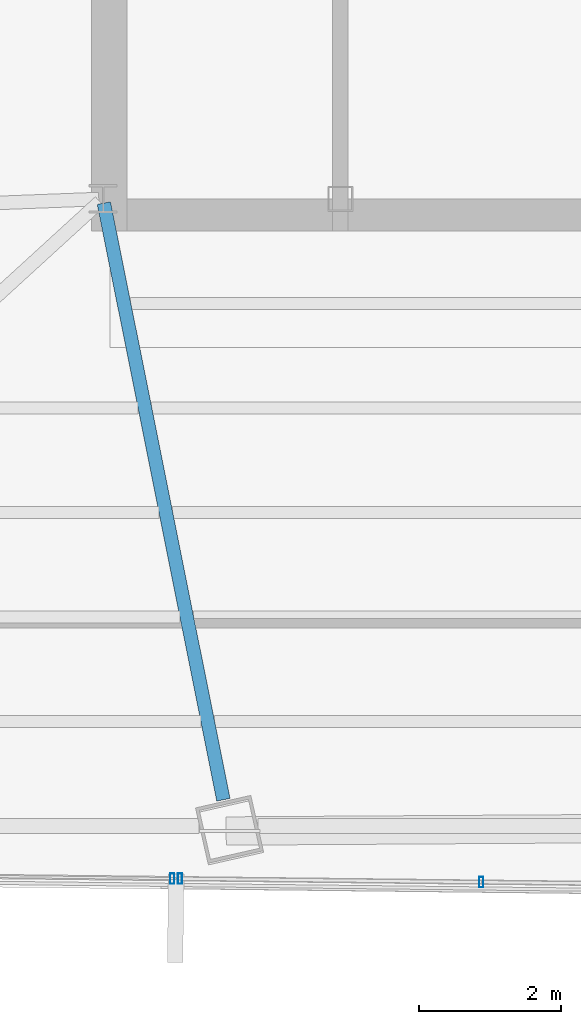
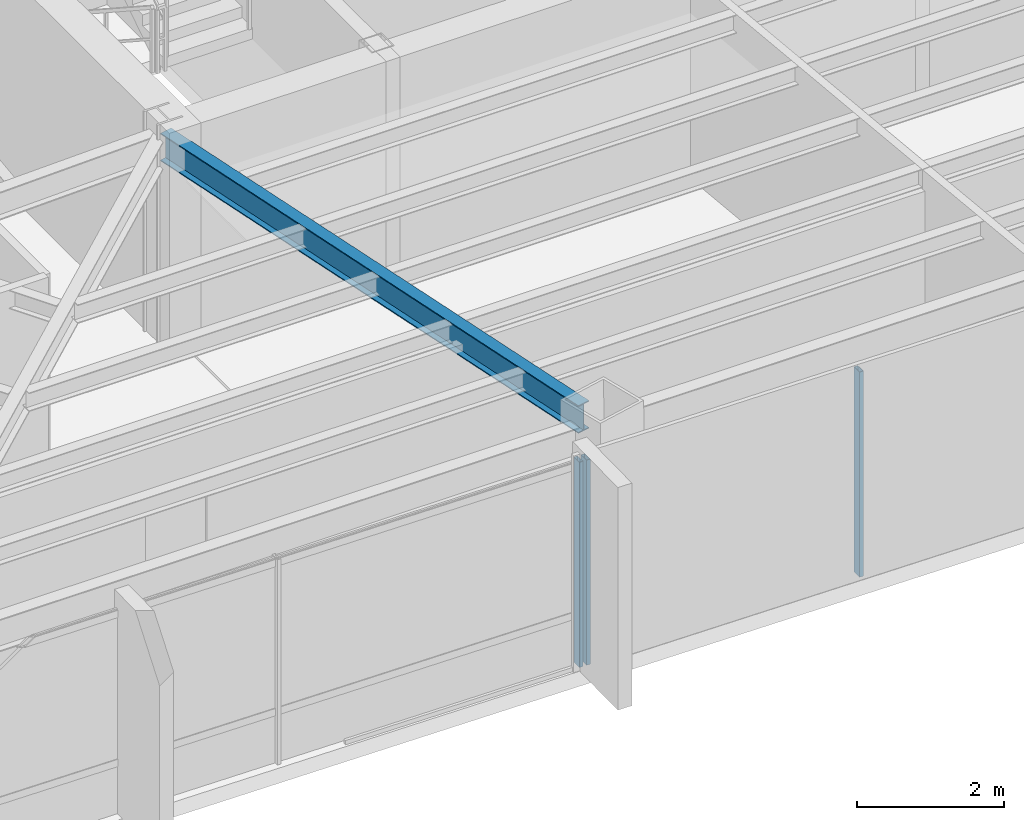
# One storey, part 9 of 40: 3 members, 1 beam, 2 elements without a shape of their own.
"""IFC4 building model written with IfcOpenShell, lengths in metres."""

from ifc_helpers import new_model, si_unit, direction, frame, origin, origin_2d, place, context, subcontext, project, spatial, hollow_rectangle, i_section, extrude, source, transform, mapped, material, material_profile, profile_set, type_object, type_shapes, element, aggregate, save


model = new_model("IFC4")

# Units and contexts
model_context = context("Model", 3, precision=1e-05, world=origin(), true_north=direction((0.0, 1.0)))
body_context = subcontext(model_context, "Body", "Model", "MODEL_VIEW")
ifc_project = project(units=[si_unit("LENGTHUNIT", "METRE"), si_unit("AREAUNIT", "SQUARE_METRE"), si_unit("VOLUMEUNIT", "CUBIC_METRE"), si_unit("PLANEANGLEUNIT", "RADIAN"), si_unit("MASSUNIT", "GRAM", prefix="KILO")], contexts=[model_context])

# Site, building, storey
site_placement = place(None, origin())
site = spatial("IfcSite", under=ifc_project, at=site_placement, CompositionType="ELEMENT")
building_placement = place(site_placement, origin())
building = spatial("IfcBuilding", under=site, at=building_placement, Name="Caelisora Broadcast Tower", CompositionType="ELEMENT")
storey_placement = place(building_placement, frame((0.0, 0.0, 213.25)))
storey = spatial("IfcBuildingStorey", under=building, at=storey_placement, Name="L56", CompositionType="ELEMENT", Elevation=213.25)

# Beam
ifc_material_1 = material(Name="Steel Grade 350 (AS/NZS 3679.1)", Category="steel")
ifc_material_profile_1 = material_profile(ifc_material_1, i_section(OverallWidth=0.19091796875, OverallDepth=0.46044921875, WebThickness=0.010009765625, FlangeThickness=0.01611328125, at=origin_2d()), Name="Steel Grade 350 (AS/NZS 3679.1)")
ifc_profile_set_1 = profile_set([ifc_material_profile_1], Name="Steel Grade 350 (AS/NZS 3679.1)")
beam_type = type_object("IfcBeamType", Name="PG06", PredefinedType="BEAM", material=ifc_profile_set_1)
shared_shape_1 = source(origin(), body_context, "Body", "SweptSolid", [
    extrude(i_section(OverallWidth=0.19091796875, OverallDepth=0.46044921875, WebThickness=0.010009765625, FlangeThickness=0.01611328125, at=origin_2d()), origin(), (0.0, 0.0, 1.0), 8.59033203125),
])
type_shapes(beam_type, [shared_shape_1])
beam_placement = place(storey_placement, frame((30.51171875, 17.34130859375, 3.169921875), z_axis=(0.196411257983, -0.980521604931, 0.0), x_axis=(0.980521604931, 0.196411257983, 0.0)))
element("IfcBeam", 1, at=beam_placement, inside=storey, type_object=beam_type, Name="L56 beam PG06", PredefinedType="BEAM", context=body_context, shape_type="MappedRepresentation", body=[
    mapped(shared_shape_1, transform((0.0, 0.0, 0.0), scale=1.0)),
])

# Curtain wall, members
ifc_material_2 = material(Name="Unitised Aluminium Insulated Shadow-Box Spandrel Curtain Wall", Category="aluminium")
curtain_wall_type_1 = type_object("IfcCurtainWallType", Name="CW-SP2", PredefinedType="NOTDEFINED", material=ifc_material_2)
curtain_wall_1_placement = place(storey_placement, origin())
curtain_wall_1 = element("IfcCurtainWall", 2, at=curtain_wall_1_placement, inside=storey, type_object=curtain_wall_type_1, Name="L56 curtain wall CW-SP2", PredefinedType="NOTDEFINED")
ifc_material_3 = material(Name="Aluminium 6063-T6 Anodised Terracotta Bronze", Category="aluminium")
ifc_material_profile_2 = material_profile(ifc_material_3, hollow_rectangle(XDim=0.06005859375, YDim=0.14990234375, WallThickness=0.00341796875, at=origin_2d()), Name="Aluminium 6063-T6 Anodised Terracotta Bronze")
ifc_profile_set_2 = profile_set([ifc_material_profile_2], Name="Aluminium 6063-T6 Anodised Terracotta Bronze")
member_type = type_object("IfcMemberType", Name="CWM-03", PredefinedType="MULLION", material=ifc_profile_set_2)
shared_shape_2 = source(origin(), body_context, "Body", "SweptSolid", [
    extrude(hollow_rectangle(XDim=0.06005859375, YDim=0.14990234375, WallThickness=0.00341796875, at=origin_2d()), origin(), (0.0, 0.0, 1.0), 3.39990234375),
])
type_shapes(member_type, [shared_shape_2])
member_1_placement = place(storey_placement, frame((35.839599609375, 7.755859375, 0.0), z_axis=(0.0, 0.0, 1.0), x_axis=(1.0, 0.0, 0.0)))
member_1 = element("IfcMember", 3, at=member_1_placement, type_object=member_type, Name="L56-CW-B06 mullion #2", PredefinedType="MULLION", context=body_context, shape_type="MappedRepresentation", body=[
    mapped(shared_shape_2, transform((0.0, 0.0, 0.0), scale=1.0)),
])
member_2_placement = place(storey_placement, frame((31.586181640625, 7.8046875, 0.0), z_axis=(0.0, 0.0, 1.0), x_axis=(1.0, 0.0, 0.0)))
member_2 = element("IfcMember", 4, at=member_2_placement, type_object=member_type, Name="L56-CW-B06 mullion #3", PredefinedType="MULLION", context=body_context, shape_type="MappedRepresentation", body=[
    mapped(shared_shape_2, transform((0.0, 0.0, 0.0), scale=1.0)),
])
aggregate(curtain_wall_1, [member_1, member_2])

# Curtain wall, member
ifc_material_4 = material(Name="Unitised Aluminium and Low-E Glass Curtain Wall", Category="glass")
curtain_wall_type_2 = type_object("IfcCurtainWallType", Name="CW-Z4", PredefinedType="NOTDEFINED", material=ifc_material_4)
curtain_wall_2_placement = place(storey_placement, origin())
curtain_wall_2 = element("IfcCurtainWall", 5, at=curtain_wall_2_placement, inside=storey, type_object=curtain_wall_type_2, Name="L56 curtain wall CW-Z4", PredefinedType="NOTDEFINED")
member_3_placement = place(storey_placement, frame((31.476318359375, 7.805908203125, 0.0), z_axis=(0.0, 0.0, 1.0), x_axis=(1.0, 0.0, 0.0)))
member_3 = element("IfcMember", 6, at=member_3_placement, type_object=member_type, Name="L56-CW-B07 mullion #0", PredefinedType="MULLION", context=body_context, shape_type="MappedRepresentation", body=[
    mapped(shared_shape_2, transform((0.0, 0.0, 0.0), scale=1.0)),
])
aggregate(curtain_wall_2, [member_3])

save(model, "model.ifc")
